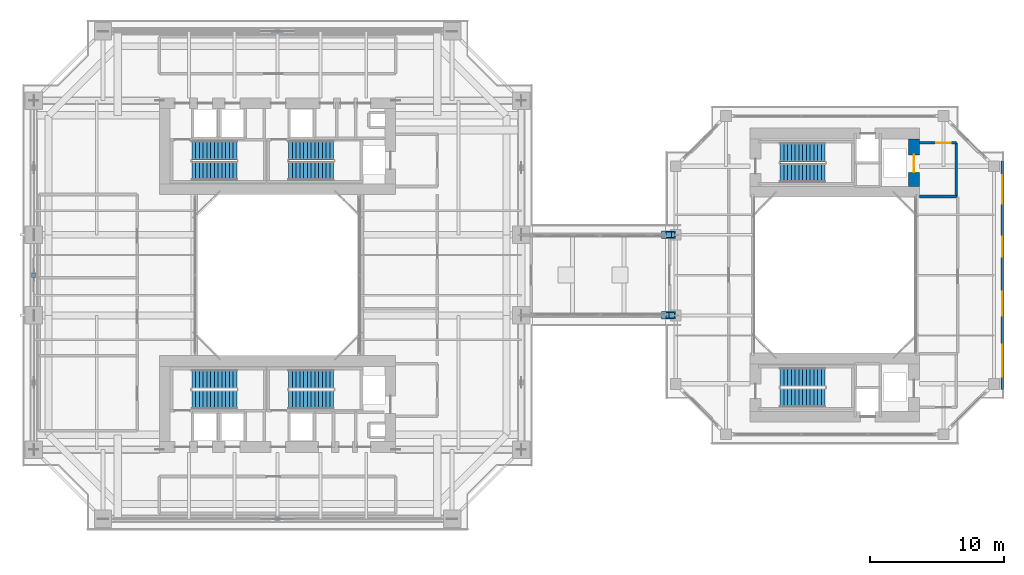
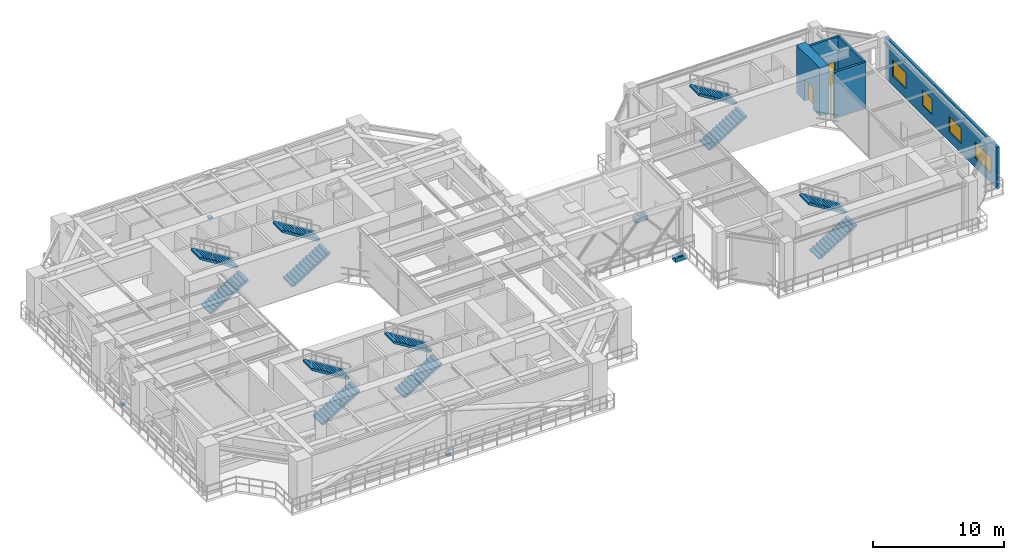
# One storey, part 20 of 25: 12 stair flights, 9 discrete accessories, 5 walls, 4 windows, 2 doors, 6 openings, 6 elements without a shape of their own.
"""IFC4 building model written with IfcOpenShell, lengths in metres."""

from ifc_helpers import new_model, si_unit, direction, frame, frame_2d, origin, origin_2d, place, context, subcontext, project, spatial, polyline, rectangle, outline, extrude, source, transform, mapped, material, layer, layer_set, type_object, element, fill, aggregate, save


model = new_model("IFC4")

# Units and contexts
model_context = context("Model", 3, precision=1e-05, world=origin(), true_north=direction((0.0, 1.0)))
body_context = subcontext(model_context, "Body", "Model", "MODEL_VIEW")
ifc_project = project(units=[si_unit("LENGTHUNIT", "METRE"), si_unit("AREAUNIT", "SQUARE_METRE"), si_unit("VOLUMEUNIT", "CUBIC_METRE"), si_unit("PLANEANGLEUNIT", "RADIAN"), si_unit("MASSUNIT", "GRAM", prefix="KILO"), si_unit("THERMODYNAMICTEMPERATUREUNIT", "KELVIN"), si_unit("POWERUNIT", "WATT")], contexts=[model_context])

# Site, building, storey
site_placement = place(None, origin())
site = spatial("IfcSite", under=ifc_project, at=site_placement, CompositionType="ELEMENT")
building_placement = place(site_placement, origin())
building = spatial("IfcBuilding", under=site, at=building_placement, Name="Qiaomeng Ring Towers", CompositionType="ELEMENT")
storey_placement = place(building_placement, frame((0.0, 0.0, 92.5)))
storey = spatial("IfcBuildingStorey", under=building, at=storey_placement, Name="L26", CompositionType="ELEMENT", Elevation=92.5)

# Wall, openings, windows
ifc_material_1 = material(Name="Precast concrete C40", Category="concrete")
ifc_layer_1 = layer(ifc_material_1, 0.219970703125, Name="Precast concrete C40")
ifc_layer_set_1 = layer_set([ifc_layer_1], Name="Precast concrete C40")
wall_type_1 = type_object("IfcWallType", Name="ARC-WL-EW2", PredefinedType="STANDARD", material=ifc_layer_set_1)
wall_1_placement = place(storey_placement, frame((72.989990234375, 14.5, 0.0), z_axis=(0.0, 0.0, 1.0), x_axis=(0.0, 1.0, 0.0)))
wall_1 = element("IfcWall", 1, at=wall_1_placement, inside=storey, type_object=wall_type_1, Name="L26 Companion East Wall", PredefinedType="STANDARD", context=body_context, shape_type="SweptSolid", body=[
    extrude(rectangle(XDim=17.0, YDim=0.219970703125, at=frame_2d((8.5, 0.0))), origin(), (0.0, 0.0, 1.0), 3.860107421875),
])
opening_1_placement = place(wall_1_placement, frame((0.925048828125, 0.0, 0.89990234375)))
opening_1 = element("IfcOpeningElement", 2, at=opening_1_placement, cuts=wall_1, Name="Opening WN6", PredefinedType="OPENING", context=body_context, shape_type="SweptSolid", body=[
    extrude(rectangle(XDim=2.39990234375, YDim=1.47998046875, at=frame_2d((1.199951171875, 0.739990234375))), frame((0.0, 0.119873046875, 0.0), z_axis=(0.0, -1.0, 0.0), x_axis=(1.0, 0.0, 0.0)), (0.0, 0.0, 1.0), 0.239990234375),
])
opening_2_placement = place(wall_1_placement, frame((5.47509765625, 0.0, 0.89990234375)))
opening_2 = element("IfcOpeningElement", 3, at=opening_2_placement, cuts=wall_1, Name="Opening WN1", PredefinedType="OPENING", context=body_context, shape_type="SweptSolid", body=[
    extrude(rectangle(XDim=1.800048828125, YDim=1.449951171875, at=frame_2d((0.89990234375, 0.72509765625))), frame((0.0, 0.119873046875, 0.0), z_axis=(0.0, -1.0, 0.0), x_axis=(1.0, 0.0, 0.0)), (0.0, 0.0, 1.0), 0.239990234375),
])
opening_3_placement = place(wall_1_placement, frame((9.875, 0.0, 0.89990234375)))
opening_3 = element("IfcOpeningElement", 4, at=opening_3_placement, cuts=wall_1, Name="Opening WN2", PredefinedType="OPENING", context=body_context, shape_type="SweptSolid", body=[
    extrude(rectangle(XDim=1.5, YDim=1.449951171875, at=frame_2d((0.75, 0.72509765625))), frame((0.0, 0.119873046875, 0.0), z_axis=(0.0, -1.0, 0.0), x_axis=(1.0, 0.0, 0.0)), (0.0, 0.0, 1.0), 0.239990234375),
])
opening_4_placement = place(wall_1_placement, frame((13.824951171875, 0.0, 0.89990234375)))
opening_4 = element("IfcOpeningElement", 5, at=opening_4_placement, cuts=wall_1, Name="Opening WN4", PredefinedType="OPENING", context=body_context, shape_type="SweptSolid", body=[
    extrude(rectangle(XDim=2.10009765625, YDim=1.47998046875, at=frame_2d((1.050048828125, 0.739990234375))), frame((0.0, 0.119873046875, 0.0), z_axis=(0.0, -1.0, 0.0), x_axis=(1.0, 0.0, 0.0)), (0.0, 0.0, 1.0), 0.239990234375),
])
ifc_material_2 = material(Name="Low-E dark-grey laminated double glazing", Category="glass")
window_type_1 = type_object("IfcWindowType", Name="ARC-WN-2", PartitioningType="DOUBLE_PANEL_VERTICAL", PredefinedType="WINDOW", material=ifc_material_2)
shared_shape_1 = source(origin(), body_context, "Body", "SweptSolid", [
    extrude(rectangle(XDim=1.5, YDim=1.449951171875, at=frame_2d((0.75, 0.72509765625))), frame((0.0, 0.030029296875, 0.0), z_axis=(0.0, -1.0, 0.0), x_axis=(1.0, 0.0, 0.0)), (0.0, 0.0, 1.0), 0.06005859375),
])
window_1_placement = place(opening_3_placement, origin())
window_1 = element("IfcWindow", 6, at=window_1_placement, inside=storey, type_object=window_type_1, Name="L26 Exterior Window WN2", OverallHeight=1.449951171875, OverallWidth=1.5, PartitioningType="DOUBLE_PANEL_VERTICAL", PredefinedType="WINDOW", context=body_context, shape_type="MappedRepresentation", body=[
    mapped(shared_shape_1, transform((0.0, 0.0, 0.0), x_axis=(1.0, 0.0, 0.0), y_axis=(0.0, 1.0, 0.0), z_axis=(0.0, 0.0, 1.0), scale=1.0)),
])
fill(opening_3, window_1)
window_type_2 = type_object("IfcWindowType", Name="ARC-WN-4", PartitioningType="TRIPLE_PANEL_VERTICAL", PredefinedType="WINDOW", material=ifc_material_2)
shared_shape_2 = source(origin(), body_context, "Body", "SweptSolid", [
    extrude(rectangle(XDim=2.10009765625, YDim=1.47998046875, at=frame_2d((1.050048828125, 0.739990234375))), frame((0.0, 0.030029296875, 0.0), z_axis=(0.0, -1.0, 0.0), x_axis=(1.0, 0.0, 0.0)), (0.0, 0.0, 1.0), 0.06005859375),
])
window_2_placement = place(opening_4_placement, origin())
window_2 = element("IfcWindow", 7, at=window_2_placement, inside=storey, type_object=window_type_2, Name="L26 Exterior Window WN4", OverallHeight=1.47998046875, OverallWidth=2.10009765625, PartitioningType="TRIPLE_PANEL_VERTICAL", PredefinedType="WINDOW", context=body_context, shape_type="MappedRepresentation", body=[
    mapped(shared_shape_2, transform((0.0, 0.0, 0.0), x_axis=(1.0, 0.0, 0.0), y_axis=(0.0, 1.0, 0.0), z_axis=(0.0, 0.0, 1.0), scale=1.0)),
])
fill(opening_4, window_2)
window_type_3 = type_object("IfcWindowType", Name="ARC-WN-1", PartitioningType="DOUBLE_PANEL_VERTICAL", PredefinedType="WINDOW", material=ifc_material_2)
shared_shape_3 = source(origin(), body_context, "Body", "SweptSolid", [
    extrude(rectangle(XDim=1.800048828125, YDim=1.449951171875, at=frame_2d((0.89990234375, 0.72509765625))), frame((0.0, 0.030029296875, 0.0), z_axis=(0.0, -1.0, 0.0), x_axis=(1.0, 0.0, 0.0)), (0.0, 0.0, 1.0), 0.06005859375),
])
window_3_placement = place(opening_2_placement, origin())
window_3 = element("IfcWindow", 8, at=window_3_placement, inside=storey, type_object=window_type_3, Name="L26 Exterior Window WN1", OverallHeight=1.449951171875, OverallWidth=1.800048828125, PartitioningType="DOUBLE_PANEL_VERTICAL", PredefinedType="WINDOW", context=body_context, shape_type="MappedRepresentation", body=[
    mapped(shared_shape_3, transform((0.0, 0.0, 0.0), x_axis=(1.0, 0.0, 0.0), y_axis=(0.0, 1.0, 0.0), z_axis=(0.0, 0.0, 1.0), scale=1.0)),
])
fill(opening_2, window_3)
window_type_4 = type_object("IfcWindowType", Name="ARC-WN-6", PartitioningType="TRIPLE_PANEL_VERTICAL", PredefinedType="WINDOW", material=ifc_material_2)
shared_shape_4 = source(origin(), body_context, "Body", "SweptSolid", [
    extrude(rectangle(XDim=2.39990234375, YDim=1.47998046875, at=frame_2d((1.199951171875, 0.739990234375))), frame((0.0, 0.030029296875, 0.0), z_axis=(0.0, -1.0, 0.0), x_axis=(1.0, 0.0, 0.0)), (0.0, 0.0, 1.0), 0.06005859375),
])
window_4_placement = place(opening_1_placement, origin())
window_4 = element("IfcWindow", 9, at=window_4_placement, inside=storey, type_object=window_type_4, Name="L26 Exterior Window WN6", OverallHeight=1.47998046875, OverallWidth=2.39990234375, PartitioningType="TRIPLE_PANEL_VERTICAL", PredefinedType="WINDOW", context=body_context, shape_type="MappedRepresentation", body=[
    mapped(shared_shape_4, transform((0.0, 0.0, 0.0), x_axis=(1.0, 0.0, 0.0), y_axis=(0.0, 1.0, 0.0), z_axis=(0.0, 0.0, 1.0), scale=1.0)),
])
fill(opening_1, window_4)

# Walls
ifc_material_3 = material(Name="Autoclaved aerated concrete block", Category="concrete")
ifc_layer_2 = layer(ifc_material_3, 0.199951171875, Name="Autoclaved aerated concrete block")
ifc_layer_set_2 = layer_set([ifc_layer_2], Name="Autoclaved aerated concrete block")
wall_type_2 = type_object("IfcWallType", Name="ARC-WL-PW1", PredefinedType="PARTITIONING", material=ifc_layer_set_2)
wall_2_placement = place(storey_placement, frame((66.800048828125, 28.85009765625, 0.0), z_axis=(0.0, 0.0, 1.0), x_axis=(1.0, 0.0, 0.0)))
element("IfcWall", 10, at=wall_2_placement, inside=storey, type_object=wall_type_2, Name="L26 Interior Wall PW1", PredefinedType="PARTITIONING", context=body_context, shape_type="SweptSolid", body=[
    extrude(rectangle(XDim=2.75, YDim=0.199951171875, at=frame_2d((1.375, 0.0))), origin(), (0.0, 0.0, 1.0), 4.320068359375),
])
wall_3_placement = place(storey_placement, frame((69.550048828125, 28.85009765625, 0.0), z_axis=(0.0, 0.0, 1.0), x_axis=(0.0, 1.0, 0.0)))
element("IfcWall", 11, at=wall_3_placement, inside=storey, type_object=wall_type_2, Name="L26 Interior Wall PW1", PredefinedType="PARTITIONING", context=body_context, shape_type="SweptSolid", body=[
    extrude(rectangle(XDim=4.0, YDim=0.199951171875, at=frame_2d((2.0, 0.0))), origin(), (0.0, 0.0, 1.0), 4.320068359375),
])

# Wall, opening, door
wall_4_placement = place(storey_placement, frame((66.800048828125, 32.85009765625, 0.0), z_axis=(0.0, 0.0, 1.0), x_axis=(1.0, 0.0, 0.0)))
wall_4 = element("IfcWall", 12, at=wall_4_placement, inside=storey, type_object=wall_type_2, Name="L26 Interior Wall PW1", PredefinedType="PARTITIONING", context=body_context, shape_type="SweptSolid", body=[
    extrude(rectangle(XDim=2.75, YDim=0.199951171875, at=frame_2d((1.375, 0.0))), origin(), (0.0, 0.0, 1.0), 4.320068359375),
])
opening_5_placement = place(wall_4_placement, frame((1.25, 0.0, 0.0)))
opening_5 = element("IfcOpeningElement", 13, at=opening_5_placement, cuts=wall_4, Name="Opening FD3", PredefinedType="OPENING", context=body_context, shape_type="SweptSolid", body=[
    extrude(rectangle(XDim=1.10009765625, YDim=2.050048828125, at=frame_2d((0.550048828125, 1.02490234375))), frame((0.0, 0.10986328125, 0.0), z_axis=(0.0, -1.0, 0.0), x_axis=(1.0, 0.0, 0.0)), (0.0, 0.0, 1.0), 0.219970703125),
])
ifc_material_4 = material(Name="Galvanised steel", Category="steel")
door_type_1 = type_object("IfcDoorType", Name="ARC-DR-FD3", OperationType="NOTDEFINED", PredefinedType="DOOR", material=ifc_material_4)
shared_shape_5 = source(origin(), body_context, "Body", "SweptSolid", [
    extrude(rectangle(XDim=1.10009765625, YDim=2.050048828125, at=frame_2d((0.550048828125, 1.02490234375))), frame((0.0, 0.02490234375, 0.0), z_axis=(0.0, -1.0, 0.0), x_axis=(1.0, 0.0, 0.0)), (0.0, 0.0, 1.0), 0.050048828125),
])
door_1_placement = place(opening_5_placement, origin())
door_1 = element("IfcDoor", 14, at=door_1_placement, inside=storey, type_object=door_type_1, Name="L26 Door FD3", OperationType="SINGLE_SWING_RIGHT", OverallHeight=2.050048828125, OverallWidth=1.10009765625, PredefinedType="DOOR", context=body_context, shape_type="MappedRepresentation", body=[
    mapped(shared_shape_5, transform((0.0, 0.0, 0.0), x_axis=(1.0, 0.0, 0.0), y_axis=(0.0, 1.0, 0.0), z_axis=(0.0, 0.0, 1.0), scale=1.0)),
])
fill(opening_5, door_1)

ifc_material_5 = material(Name="Concrete C60", Category="concrete")
ifc_layer_3 = layer(ifc_material_5, 0.800048828125, Name="Concrete C60")
ifc_layer_set_3 = layer_set([ifc_layer_3], Name="Concrete C60")
wall_type_3 = type_object("IfcWallType", Name="STR-WL-SW1", PredefinedType="SHEAR", material=ifc_layer_set_3)
wall_5_placement = place(storey_placement, frame((66.39990234375, 29.60009765625, 0.0), z_axis=(0.0, 0.0, 1.0), x_axis=(0.0, 1.0, 0.0)))
wall_5 = element("IfcWall", 15, at=wall_5_placement, inside=storey, type_object=wall_type_3, Name="L26 T2NC east core shear wall", PredefinedType="SHEAR", context=body_context, shape_type="SweptSolid", body=[
    extrude(rectangle(XDim=3.5498046875, YDim=0.800048828125, at=frame_2d((1.77490234375, 0.0))), origin(), (0.0, 0.0, 1.0), 4.5),
])
opening_6_placement = place(wall_5_placement, frame((1.050048828125, 0.0, 0.0)))
opening_6 = element("IfcOpeningElement", 16, at=opening_6_placement, cuts=wall_5, Name="Opening LD2", PredefinedType="OPENING", context=body_context, shape_type="SweptSolid", body=[
    extrude(rectangle(XDim=1.300048828125, YDim=2.050048828125, at=frame_2d((0.64990234375, 1.02490234375))), frame((0.0, 0.409912109375, 0.0), z_axis=(0.0, -1.0, 0.0), x_axis=(1.0, 0.0, 0.0)), (0.0, 0.0, 1.0), 0.820068359375),
])
ifc_material_6 = material(Name="Stainless steel 316", Category="steel")
door_type_2 = type_object("IfcDoorType", Name="ARC-DR-LD2", OperationType="NOTDEFINED", PredefinedType="DOOR", material=ifc_material_6)
shared_shape_6 = source(origin(), body_context, "Body", "SweptSolid", [
    extrude(rectangle(XDim=1.300048828125, YDim=2.050048828125, at=frame_2d((0.64990234375, 1.02490234375))), frame((0.0, 0.02490234375, 0.0), z_axis=(0.0, -1.0, 0.0), x_axis=(1.0, 0.0, 0.0)), (0.0, 0.0, 1.0), 0.050048828125),
])
door_2_placement = place(opening_6_placement, origin())
door_2 = element("IfcDoor", 17, at=door_2_placement, inside=storey, type_object=door_type_2, Name="L26 Firefighting Lift FL3 Landing Door", OperationType="SLIDING_TO_LEFT", OverallHeight=2.050048828125, OverallWidth=1.300048828125, PredefinedType="DOOR", context=body_context, shape_type="MappedRepresentation", body=[
    mapped(shared_shape_6, transform((0.0, 0.0, 0.0), x_axis=(1.0, 0.0, 0.0), y_axis=(0.0, 1.0, 0.0), z_axis=(0.0, 0.0, 1.0), scale=1.0)),
])
fill(opening_6, door_2)

# Stair, stair flights
stair_type = type_object("IfcStairType", Name="ARC-ST-450", PredefinedType="HALF_TURN_STAIR", material=ifc_material_1)
stair_1_placement = place(storey_placement, origin())
stair_1 = element("IfcStair", 18, at=stair_1_placement, inside=storey, type_object=stair_type, Name="L26 Tower 1 North Stair 1", PredefinedType="HALF_TURN_STAIR")
stair_flight_type = type_object("IfcStairFlightType", Name="ARC-ST-450-FL", PredefinedType="STRAIGHT", material=ifc_material_1)
shared_shape_7 = source(origin(), body_context, "Body", "SweptSolid", [
    extrude(outline(polyline([(0.0, 0.0), (0.0, 0.173095703125), (0.280029296875, 0.173095703125), (0.280029296875, 0.34619140625), (0.56005859375, 0.34619140625), (0.56005859375, 0.519287109375), (0.840087890625, 0.519287109375), (0.840087890625, 0.6923828125), (1.1201171875, 0.6923828125), (1.1201171875, 0.865478515625), (1.39990234375, 0.865478515625), (1.39990234375, 1.03857421875), (1.679931640625, 1.03857421875), (1.679931640625, 1.21142578125), (1.9599609375, 1.21142578125), (1.9599609375, 1.384521484375), (2.239990234375, 1.384521484375), (2.239990234375, 1.5576171875), (2.52001953125, 1.5576171875), (2.52001953125, 1.730712890625), (2.800048828125, 1.730712890625), (2.800048828125, 1.90380859375), (3.080078125, 1.90380859375), (3.080078125, 2.076904296875), (3.360107421875, 2.076904296875), (3.360107421875, 2.25), (3.360107421875, 1.900634765625), (0.28515625, 0.0), (0.0, 0.0)])), frame((0.0, 0.699951171875, 0.0), z_axis=(0.0, -1.0, 0.0), x_axis=(1.0, 0.0, 0.0)), (0.0, 0.0, 1.0), 1.39990234375),
])
stair_flight_1_placement = place(storey_placement, frame((12.6201171875, 30.75, 0.0), z_axis=(0.0, 0.0, 1.0), x_axis=(1.0, 0.0, 0.0)))
stair_flight_1 = element("IfcStairFlight", 19, at=stair_flight_1_placement, type_object=stair_flight_type, Name="ST1 flight 1", NumberOfRisers=13, NumberOfTreads=12, PredefinedType="STRAIGHT", RiserHeight=0.173076923, TreadLength=0.28, context=body_context, shape_type="MappedRepresentation", body=[
    mapped(shared_shape_7, transform((0.0, 0.0, 0.0), x_axis=(1.0, 0.0, 0.0), y_axis=(0.0, 1.0, 0.0), z_axis=(0.0, 0.0, 1.0), scale=1.0)),
])
stair_flight_2_placement = place(storey_placement, frame((15.97998046875, 32.2900390625, 2.25), z_axis=(0.0, 0.0, 1.0), x_axis=(-1.0, 0.0, 0.0)))
stair_flight_2 = element("IfcStairFlight", 20, at=stair_flight_2_placement, type_object=stair_flight_type, Name="ST1 flight 2", NumberOfRisers=13, NumberOfTreads=12, PredefinedType="STRAIGHT", RiserHeight=0.173076923, TreadLength=0.28, context=body_context, shape_type="MappedRepresentation", body=[
    mapped(shared_shape_7, transform((0.0, 0.0, 0.0), x_axis=(1.0, 0.0, 0.0), y_axis=(0.0, 1.0, 0.0), z_axis=(0.0, 0.0, 1.0), scale=1.0)),
])
aggregate(stair_1, [stair_flight_1, stair_flight_2])

stair_2_placement = place(storey_placement, origin())
stair_2 = element("IfcStair", 21, at=stair_2_placement, inside=storey, type_object=stair_type, Name="L26 Tower 1 North Stair 2", PredefinedType="HALF_TURN_STAIR")
stair_flight_3_placement = place(storey_placement, frame((19.820068359375, 30.75, 0.0), z_axis=(0.0, 0.0, 1.0), x_axis=(1.0, 0.0, 0.0)))
stair_flight_3 = element("IfcStairFlight", 22, at=stair_flight_3_placement, type_object=stair_flight_type, Name="ST2 flight 1", NumberOfRisers=13, NumberOfTreads=12, PredefinedType="STRAIGHT", RiserHeight=0.173076923, TreadLength=0.28, context=body_context, shape_type="MappedRepresentation", body=[
    mapped(shared_shape_7, transform((0.0, 0.0, 0.0), x_axis=(1.0, 0.0, 0.0), y_axis=(0.0, 1.0, 0.0), z_axis=(0.0, 0.0, 1.0), scale=1.0)),
])
stair_flight_4_placement = place(storey_placement, frame((23.179931640625, 32.2900390625, 2.25), z_axis=(0.0, 0.0, 1.0), x_axis=(-1.0, 0.0, 0.0)))
stair_flight_4 = element("IfcStairFlight", 23, at=stair_flight_4_placement, type_object=stair_flight_type, Name="ST2 flight 2", NumberOfRisers=13, NumberOfTreads=12, PredefinedType="STRAIGHT", RiserHeight=0.173076923, TreadLength=0.28, context=body_context, shape_type="MappedRepresentation", body=[
    mapped(shared_shape_7, transform((0.0, 0.0, 0.0), x_axis=(1.0, 0.0, 0.0), y_axis=(0.0, 1.0, 0.0), z_axis=(0.0, 0.0, 1.0), scale=1.0)),
])
aggregate(stair_2, [stair_flight_3, stair_flight_4])

stair_3_placement = place(storey_placement, origin())
stair_3 = element("IfcStair", 24, at=stair_3_placement, inside=storey, type_object=stair_type, Name="L26 Tower 1 South Stair 3", PredefinedType="HALF_TURN_STAIR")
stair_flight_5_placement = place(storey_placement, frame((12.6201171875, 13.7099609375, 0.0), z_axis=(0.0, 0.0, 1.0), x_axis=(1.0, 0.0, 0.0)))
stair_flight_5 = element("IfcStairFlight", 25, at=stair_flight_5_placement, type_object=stair_flight_type, Name="ST3 flight 1", NumberOfRisers=13, NumberOfTreads=12, PredefinedType="STRAIGHT", RiserHeight=0.173076923, TreadLength=0.28, context=body_context, shape_type="MappedRepresentation", body=[
    mapped(shared_shape_7, transform((0.0, 0.0, 0.0), x_axis=(1.0, 0.0, 0.0), y_axis=(0.0, 1.0, 0.0), z_axis=(0.0, 0.0, 1.0), scale=1.0)),
])
stair_flight_6_placement = place(storey_placement, frame((15.97998046875, 15.25, 2.25), z_axis=(0.0, 0.0, 1.0), x_axis=(-1.0, 0.0, 0.0)))
stair_flight_6 = element("IfcStairFlight", 26, at=stair_flight_6_placement, type_object=stair_flight_type, Name="ST3 flight 2", NumberOfRisers=13, NumberOfTreads=12, PredefinedType="STRAIGHT", RiserHeight=0.173076923, TreadLength=0.28, context=body_context, shape_type="MappedRepresentation", body=[
    mapped(shared_shape_7, transform((0.0, 0.0, 0.0), x_axis=(1.0, 0.0, 0.0), y_axis=(0.0, 1.0, 0.0), z_axis=(0.0, 0.0, 1.0), scale=1.0)),
])
aggregate(stair_3, [stair_flight_5, stair_flight_6])

stair_4_placement = place(storey_placement, origin())
stair_4 = element("IfcStair", 27, at=stair_4_placement, inside=storey, type_object=stair_type, Name="L26 Tower 1 South Stair 4", PredefinedType="HALF_TURN_STAIR")
stair_flight_7_placement = place(storey_placement, frame((19.820068359375, 13.7099609375, 0.0), z_axis=(0.0, 0.0, 1.0), x_axis=(1.0, 0.0, 0.0)))
stair_flight_7 = element("IfcStairFlight", 28, at=stair_flight_7_placement, type_object=stair_flight_type, Name="ST4 flight 1", NumberOfRisers=13, NumberOfTreads=12, PredefinedType="STRAIGHT", RiserHeight=0.173076923, TreadLength=0.28, context=body_context, shape_type="MappedRepresentation", body=[
    mapped(shared_shape_7, transform((0.0, 0.0, 0.0), x_axis=(1.0, 0.0, 0.0), y_axis=(0.0, 1.0, 0.0), z_axis=(0.0, 0.0, 1.0), scale=1.0)),
])
stair_flight_8_placement = place(storey_placement, frame((23.179931640625, 15.25, 2.25), z_axis=(0.0, 0.0, 1.0), x_axis=(-1.0, 0.0, 0.0)))
stair_flight_8 = element("IfcStairFlight", 29, at=stair_flight_8_placement, type_object=stair_flight_type, Name="ST4 flight 2", NumberOfRisers=13, NumberOfTreads=12, PredefinedType="STRAIGHT", RiserHeight=0.173076923, TreadLength=0.28, context=body_context, shape_type="MappedRepresentation", body=[
    mapped(shared_shape_7, transform((0.0, 0.0, 0.0), x_axis=(1.0, 0.0, 0.0), y_axis=(0.0, 1.0, 0.0), z_axis=(0.0, 0.0, 1.0), scale=1.0)),
])
aggregate(stair_4, [stair_flight_7, stair_flight_8])

stair_5_placement = place(storey_placement, origin())
stair_5 = element("IfcStair", 30, at=stair_5_placement, inside=storey, type_object=stair_type, Name="L26 Companion North Stair 5", PredefinedType="HALF_TURN_STAIR")
stair_flight_9_placement = place(storey_placement, frame((56.419921875, 30.60009765625, 0.0), z_axis=(0.0, 0.0, 1.0), x_axis=(1.0, 0.0, 0.0)))
stair_flight_9 = element("IfcStairFlight", 31, at=stair_flight_9_placement, type_object=stair_flight_type, Name="ST5 flight 1", NumberOfRisers=13, NumberOfTreads=12, PredefinedType="STRAIGHT", RiserHeight=0.173076923, TreadLength=0.28, context=body_context, shape_type="MappedRepresentation", body=[
    mapped(shared_shape_7, transform((0.0, 0.0, 0.0), x_axis=(1.0, 0.0, 0.0), y_axis=(0.0, 1.0, 0.0), z_axis=(0.0, 0.0, 1.0), scale=1.0)),
])
stair_flight_10_placement = place(storey_placement, frame((59.780029296875, 32.139892578125, 2.25), z_axis=(0.0, 0.0, 1.0), x_axis=(-1.0, 0.0, 0.0)))
stair_flight_10 = element("IfcStairFlight", 32, at=stair_flight_10_placement, type_object=stair_flight_type, Name="ST5 flight 2", NumberOfRisers=13, NumberOfTreads=12, PredefinedType="STRAIGHT", RiserHeight=0.173076923, TreadLength=0.28, context=body_context, shape_type="MappedRepresentation", body=[
    mapped(shared_shape_7, transform((0.0, 0.0, 0.0), x_axis=(1.0, 0.0, 0.0), y_axis=(0.0, 1.0, 0.0), z_axis=(0.0, 0.0, 1.0), scale=1.0)),
])
aggregate(stair_5, [stair_flight_9, stair_flight_10])

stair_6_placement = place(storey_placement, origin())
stair_6 = element("IfcStair", 33, at=stair_6_placement, inside=storey, type_object=stair_type, Name="L26 Companion South Stair 6", PredefinedType="HALF_TURN_STAIR")
stair_flight_11_placement = place(storey_placement, frame((56.419921875, 13.860107421875, 0.0), z_axis=(0.0, 0.0, 1.0), x_axis=(1.0, 0.0, 0.0)))
stair_flight_11 = element("IfcStairFlight", 34, at=stair_flight_11_placement, type_object=stair_flight_type, Name="ST6 flight 1", NumberOfRisers=13, NumberOfTreads=12, PredefinedType="STRAIGHT", RiserHeight=0.173076923, TreadLength=0.28, context=body_context, shape_type="MappedRepresentation", body=[
    mapped(shared_shape_7, transform((0.0, 0.0, 0.0), x_axis=(1.0, 0.0, 0.0), y_axis=(0.0, 1.0, 0.0), z_axis=(0.0, 0.0, 1.0), scale=1.0)),
])
stair_flight_12_placement = place(storey_placement, frame((59.780029296875, 15.39990234375, 2.25), z_axis=(0.0, 0.0, 1.0), x_axis=(-1.0, 0.0, 0.0)))
stair_flight_12 = element("IfcStairFlight", 35, at=stair_flight_12_placement, type_object=stair_flight_type, Name="ST6 flight 2", NumberOfRisers=13, NumberOfTreads=12, PredefinedType="STRAIGHT", RiserHeight=0.173076923, TreadLength=0.28, context=body_context, shape_type="MappedRepresentation", body=[
    mapped(shared_shape_7, transform((0.0, 0.0, 0.0), x_axis=(1.0, 0.0, 0.0), y_axis=(0.0, 1.0, 0.0), z_axis=(0.0, 0.0, 1.0), scale=1.0)),
])
aggregate(stair_6, [stair_flight_11, stair_flight_12])

# Discrete accessories
ifc_material_7 = material(Name="Steel Q390GJC", Category="steel")
discrete_accessory_type_1 = type_object("IfcDiscreteAccessoryType", Name="STR-ACC-BRG1", PredefinedType="BRACKET", material=ifc_material_7)
shared_shape_8 = source(origin(), body_context, "Body", "SweptSolid", [
    extrude(rectangle(XDim=1.050048828125, YDim=0.56005859375, at=origin_2d()), origin(), (0.0, 0.0, 1.0), 0.39990234375),
])
for number, where, z_axis, x_axis, name in (
    (36, (48.125, 20.0, -1.18994140625), (0.0, 0.0, 1.0), (1.0, 0.0, 0.0), "SB2 Companion Tower Steel Corbel Seat S"),
    (37, (48.125, 26.0, -1.18994140625), (0.0, 0.0, 1.0), (1.0, 0.0, 0.0), "SB2 Companion Tower Steel Corbel Seat N"),
):
    element("IfcDiscreteAccessory", number, at=place(storey_placement, frame(where, z_axis=z_axis, x_axis=x_axis)), inside=storey, type_object=discrete_accessory_type_1, Name=name, PredefinedType="BRACKET", context=body_context, shape_type="MappedRepresentation", body=[
        mapped(shared_shape_8, transform((0.0, 0.0, 0.0), x_axis=(1.0, 0.0, 0.0), y_axis=(0.0, 1.0, 0.0), z_axis=(0.0, 0.0, 1.0), scale=1.0)),
    ])
shared_shape_9 = source(origin(), body_context, "Body", "SweptSolid", [
    extrude(rectangle(XDim=0.39990234375, YDim=0.39990234375, at=origin_2d()), origin(), (0.0, 0.0, 1.0), 0.159912109375),
])
for number, where, z_axis, x_axis, name in (
    (38, (48.125, 20.0, -0.7900390625), (0.0, 0.0, 1.0), (1.0, 0.0, 0.0), "SB2 Bi-Directional PTFE Spherical Sliding Bearing S1"),
    (39, (48.35009765625, 20.0, -0.7900390625), (0.0, 0.0, 1.0), (1.0, 0.0, 0.0), "SB2 Bi-Directional PTFE Spherical Sliding Bearing S2"),
    (40, (48.125, 26.0, -0.7900390625), (0.0, 0.0, 1.0), (1.0, 0.0, 0.0), "SB2 Bi-Directional PTFE Spherical Sliding Bearing N1"),
    (41, (48.35009765625, 26.0, -0.7900390625), (0.0, 0.0, 1.0), (1.0, 0.0, 0.0), "SB2 Bi-Directional PTFE Spherical Sliding Bearing N2"),
):
    element("IfcDiscreteAccessory", number, at=place(storey_placement, frame(where, z_axis=z_axis, x_axis=x_axis)), inside=storey, type_object=discrete_accessory_type_1, Name=name, PredefinedType="BRACKET", context=body_context, shape_type="MappedRepresentation", body=[
        mapped(shared_shape_9, transform((0.0, 0.0, 0.0), x_axis=(1.0, 0.0, 0.0), y_axis=(0.0, 1.0, 0.0), z_axis=(0.0, 0.0, 1.0), scale=1.0)),
    ])
discrete_accessory_type_2 = type_object("IfcDiscreteAccessoryType", Name="ARC-ACC-BRACKET", PredefinedType="BRACKET", material=ifc_material_6)
shared_shape_10 = source(origin(), body_context, "Body", "SweptSolid", [
    extrude(rectangle(XDim=0.35009765625, YDim=0.35009765625, at=origin_2d()), origin(), (0.0, 0.0, 1.0), 0.179931640625),
])
for number, where, z_axis, x_axis, name in (
    (42, (19.0, 4.85009765625, -0.009765625), (0.0, 0.0, 1.0), (1.0, 0.0, 0.0), "L26 Wind Screen Base Bracket S"),
    (43, (19.0, 41.14990234375, -0.009765625), (0.0, 0.0, 1.0), (-1.0, 0.0, 0.0), "L26 Wind Screen Base Bracket N"),
    (44, (0.85009765625, 23.0, -0.009765625), (0.0, 0.0, 1.0), (0.0, -1.0, 0.0), "L26 Wind Screen Base Bracket W"),
):
    element("IfcDiscreteAccessory", number, at=place(storey_placement, frame(where, z_axis=z_axis, x_axis=x_axis)), inside=storey, type_object=discrete_accessory_type_2, Name=name, PredefinedType="BRACKET", context=body_context, shape_type="MappedRepresentation", body=[
        mapped(shared_shape_10, transform((0.0, 0.0, 0.0), x_axis=(1.0, 0.0, 0.0), y_axis=(0.0, 1.0, 0.0), z_axis=(0.0, 0.0, 1.0), scale=1.0)),
    ])

save(model, "model.ifc")
